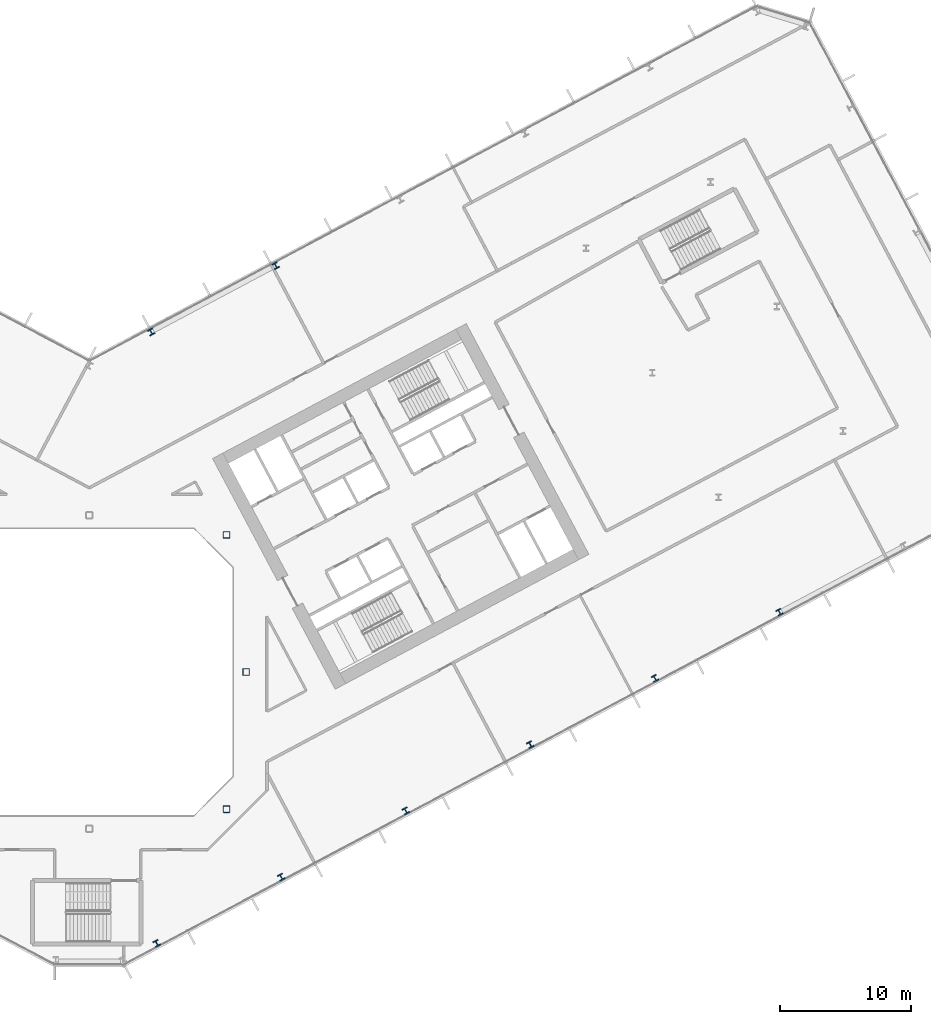
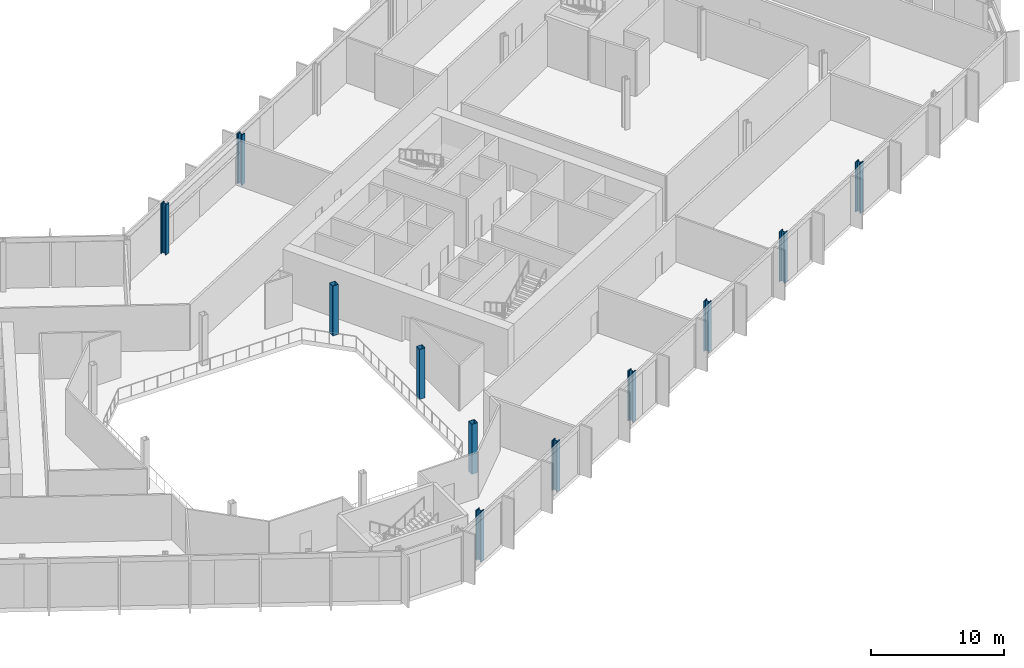
# One storey, part 3 of 30: 11 columns.
"""IFC4 building model written with IfcOpenShell, lengths in metres."""

from ifc_helpers import new_model, si_unit, direction, frame, origin, origin_2d, place, context, subcontext, project, spatial, hollow_rectangle, i_section, extrude, material, material_profile, profile_set, type_object, element, save


model = new_model("IFC4")

# Units and contexts
model_context = context("Model", 3, precision=1e-05, world=origin(), true_north=direction((0.0, 1.0)))
body_context = subcontext(model_context, "Body", "Model", "MODEL_VIEW")
ifc_project = project(units=[si_unit("LENGTHUNIT", "METRE"), si_unit("AREAUNIT", "SQUARE_METRE"), si_unit("VOLUMEUNIT", "CUBIC_METRE"), si_unit("PLANEANGLEUNIT", "RADIAN"), si_unit("MASSUNIT", "GRAM", prefix="KILO")], contexts=[model_context])

# Site, building, storey
site_placement = place(None, origin())
site = spatial("IfcSite", under=ifc_project, at=site_placement, CompositionType="ELEMENT")
building_placement = place(site_placement, origin())
building = spatial("IfcBuilding", under=site, at=building_placement, Name="Cormorant Relay Tower", CompositionType="ELEMENT")
storey_placement = place(building_placement, frame((0.0, 0.0, 89.199951171875)))
storey = spatial("IfcBuildingStorey", under=building, at=storey_placement, Name="L17", CompositionType="ELEMENT", Elevation=89.199951171875)

# Columns
ifc_material_1 = material(Name="Steel ASTM A500 Grade C (Fy 345 MPa)", Category="steel")
ifc_material_profile_1 = material_profile(ifc_material_1, hollow_rectangle(XDim=0.508056640625, YDim=0.508056640625, WallThickness=0.020751953125, InnerFilletRadius=0.01025390625, OuterFilletRadius=0.031005859375, at=origin_2d()), Name="HSS508x508x21")
ifc_profile_set_1 = profile_set([ifc_material_profile_1], Name="Steel ASTM A500 Grade C (Fy 345 MPa)")
column_type_1 = type_object("IfcColumnType", Name="Column HSS508x508x21", PredefinedType="COLUMN", material=ifc_profile_set_1)
for number, where, z_axis, x_axis, name in (
    (1, (10.5, -10.5, 0.0), (0.0, 0.0, 1.0), (1.0, 0.0, 0.0), "Column L17-010"),
    (2, (12.0, 0.0, 0.0), (0.0, 0.0, 1.0), (1.0, 0.0, 0.0), "Column L17-016"),
    (3, (10.5, 10.5, 0.0), (0.0, 0.0, 1.0), (1.0, 0.0, 0.0), "Column L17-023"),
):
    element("IfcColumn", number, at=place(storey_placement, frame(where, z_axis=z_axis, x_axis=x_axis)), inside=storey, type_object=column_type_1, Name=name, PredefinedType="COLUMN", context=body_context, shape_type="SweptSolid", body=[
        extrude(hollow_rectangle(XDim=0.508056640625, YDim=0.508056640625, WallThickness=0.020751953125, InnerFilletRadius=0.01025390625, OuterFilletRadius=0.031005859375, at=origin_2d()), origin(), (0.0, 0.0, 1.0), 4.60009765625),
    ])
ifc_material_2 = material(Name="Steel ASTM A992 (Fy 345 MPa)", Category="steel")
ifc_material_profile_2 = material_profile(ifc_material_2, i_section(OverallWidth=0.42431640625, OverallDepth=0.47509765625, WebThickness=0.0478515625, FlangeThickness=0.0771484375, FilletRadius=0.014892578125, at=origin_2d()), Name="W360x634")
ifc_profile_set_2 = profile_set([ifc_material_profile_2], Name="Steel ASTM A992 (Fy 345 MPa)")
column_type_2 = type_object("IfcColumnType", Name="Column W360x634", PredefinedType="COLUMN", material=ifc_profile_set_2)
for number, where, z_axis, x_axis, name in (
    (4, (5.155029296875, -20.77099609375, 0.0), (0.0, 0.0, 1.0), (0.882947592859, 0.469471562786, 0.0), "Column L17-003"),
    (5, (14.69091796875, -15.700927734375, 0.0), (0.0, 0.0, 1.0), (0.882947592859, 0.469471562786, 0.0), "Column L17-005"),
    (6, (24.22705078125, -10.631103515625, 0.0), (0.0, 0.0, 1.0), (0.882947592859, 0.469471562786, 0.0), "Column L17-008"),
    (7, (33.761962890625, -5.56005859375, 0.0), (0.0, 0.0, 1.0), (0.882947592859, 0.469471562786, 0.0), "Column L17-012"),
    (8, (43.298095703125, -0.489990234375, 0.0), (0.0, 0.0, 1.0), (0.882947592859, 0.469471562786, 0.0), "Column L17-014"),
    (9, (52.833984375, 4.580078125, 0.0), (0.0, 0.0, 1.0), (0.882947592859, 0.469471562786, 0.0), "Column L17-019"),
    (10, (4.73388671875, 26.029052734375, 0.0), (0.0, 0.0, 1.0), (-0.882947592859, -0.469471562786, 0.0), "Column L17-035"),
    (11, (14.27001953125, 31.10009765625, 0.0), (0.0, 0.0, 1.0), (-0.882947592859, -0.469471562786, 0.0), "Column L17-039"),
):
    element("IfcColumn", number, at=place(storey_placement, frame(where, z_axis=z_axis, x_axis=x_axis)), inside=storey, type_object=column_type_2, Name=name, PredefinedType="COLUMN", context=body_context, shape_type="SweptSolid", body=[
        extrude(i_section(OverallWidth=0.42431640625, OverallDepth=0.47509765625, WebThickness=0.0478515625, FlangeThickness=0.0771484375, FilletRadius=0.014892578125, at=origin_2d()), origin(), (0.0, 0.0, 1.0), 4.60009765625),
    ])

save(model, "model.ifc")
